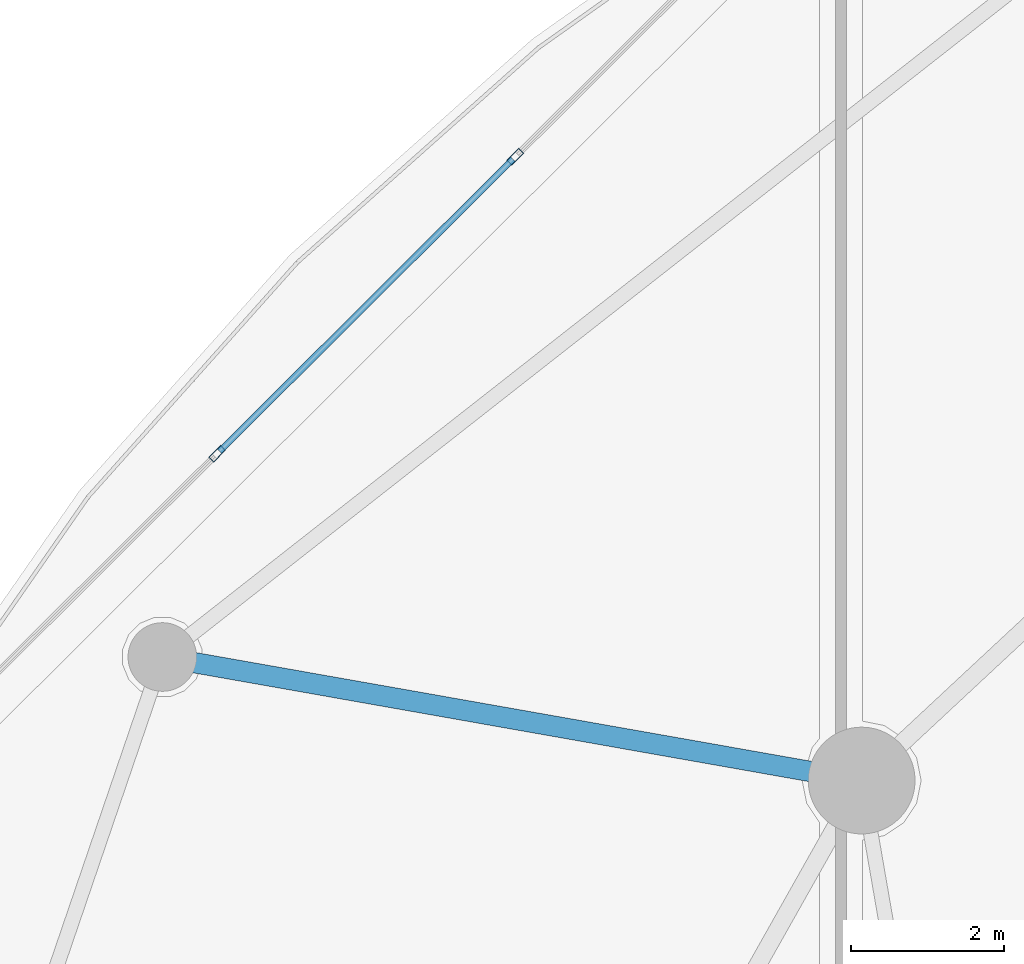
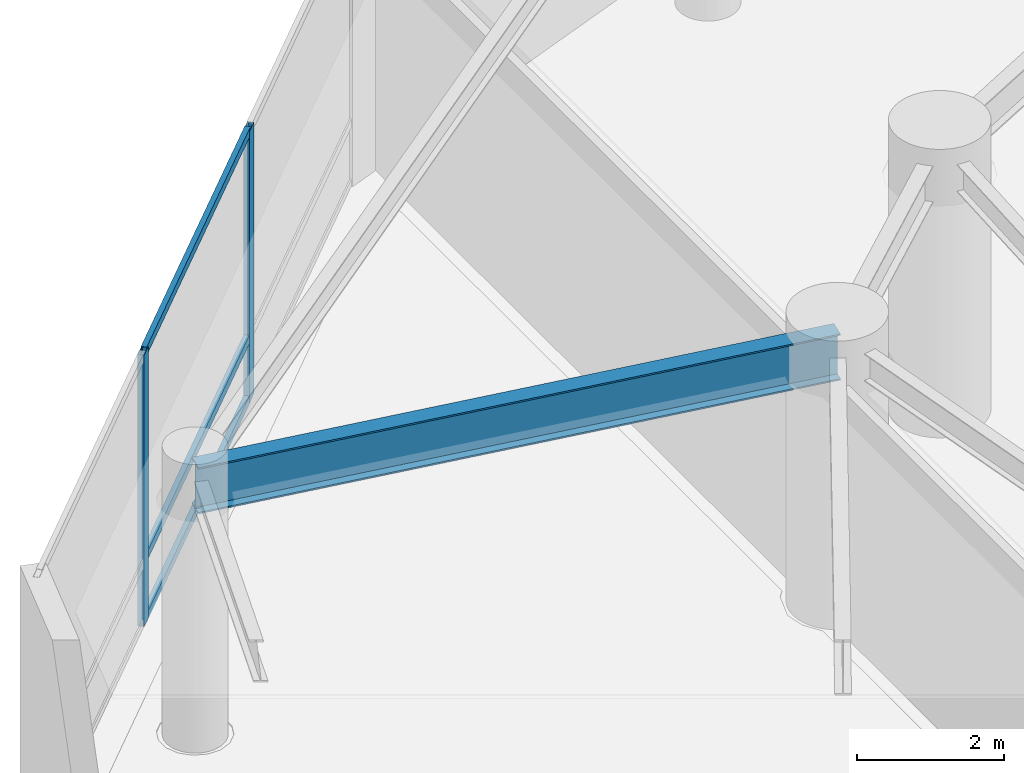
# One storey, part 8 of 40: 5 members, 1 beam, 1 element without a shape of its own.
"""IFC4 building model written with IfcOpenShell, lengths in metres."""

from ifc_helpers import new_model, si_unit, direction, frame, origin, origin_2d, place, context, subcontext, project, spatial, hollow_rectangle, i_section, extrude, material, layer, layer_set, material_profile, profile_set, type_object, element, aggregate, save


model = new_model("IFC4")

# Units and contexts
model_context = context("Model", 3, precision=1e-05, world=origin(), true_north=direction((0.0, 1.0)))
body_context = subcontext(model_context, "Body", "Model", "MODEL_VIEW")
ifc_project = project(units=[si_unit("LENGTHUNIT", "METRE"), si_unit("AREAUNIT", "SQUARE_METRE"), si_unit("VOLUMEUNIT", "CUBIC_METRE"), si_unit("PLANEANGLEUNIT", "RADIAN"), si_unit("MASSUNIT", "GRAM", prefix="KILO")], contexts=[model_context])

# Site, building, storey
site_placement = place(None, origin())
site = spatial("IfcSite", under=ifc_project, at=site_placement, CompositionType="ELEMENT")
building_placement = place(site_placement, origin())
building = spatial("IfcBuilding", under=site, at=building_placement, Name="Kazevale Care Tower and Concert Hall", CompositionType="ELEMENT")
storey_placement = place(building_placement, frame((0.0, 0.0, 4.800048828125)))
storey = spatial("IfcBuildingStorey", under=building, at=storey_placement, Name="L01", CompositionType="ELEMENT", Elevation=4.800048828125)

# Curtain wall, members
ifc_material_1 = material(Name="Aluminium 6063-T6 and Low-E Glass", Category="aluminium")
ifc_layer = layer(ifc_material_1, 0.179931640625)
ifc_layer_set = layer_set([ifc_layer], Name="Aluminium 6063-T6 and Low-E Glass")
curtain_wall_type = type_object("IfcCurtainWallType", Name="Podium Double-Skin Medical Curtain Wall CW-1", PredefinedType="NOTDEFINED", material=ifc_layer_set)
curtain_wall_placement = place(storey_placement, origin())
curtain_wall = element("IfcCurtainWall", 1, at=curtain_wall_placement, inside=storey, type_object=curtain_wall_type, Name="cw:L01:pod:06", PredefinedType="NOTDEFINED")
ifc_material_2 = material(Name="Aluminium 6063-T6", Category="aluminium")
ifc_material_profile_1 = material_profile(ifc_material_2, hollow_rectangle(XDim=0.090087890625, YDim=0.219970703125, WallThickness=0.0048828125, at=origin_2d()), Name="ALU90x220x5")
ifc_profile_set_1 = profile_set([ifc_material_profile_1], Name="Aluminium 6063-T6")
member_type_1 = type_object("IfcMemberType", Name="CW-1 Mullion ALU90x220x5", PredefinedType="MULLION", material=ifc_profile_set_1)
member_1_placement = place(storey_placement, frame((14.728271484375, 60.359375, 0.0), z_axis=(0.0, 0.0, 1.0), x_axis=(0.705655814257, -0.708554776856, 0.0)))
member_1 = element("IfcMember", 2, at=member_1_placement, type_object=member_type_1, Name="CW-1 mullion 2", PredefinedType="MULLION", context=body_context, shape_type="SweptSolid", body=[
    extrude(hollow_rectangle(XDim=0.090087890625, YDim=0.219970703125, WallThickness=0.0048828125, at=origin_2d()), origin(), (0.0, 0.0, 1.0), 4.52001953125),
])
member_2_placement = place(storey_placement, frame((10.817626953125, 56.464599609375, 0.0), z_axis=(0.0, 0.0, 1.0), x_axis=(0.705655814257, -0.708554776856, 0.0)))
member_2 = element("IfcMember", 3, at=member_2_placement, type_object=member_type_1, Name="CW-1 mullion 3", PredefinedType="MULLION", context=body_context, shape_type="SweptSolid", body=[
    extrude(hollow_rectangle(XDim=0.090087890625, YDim=0.219970703125, WallThickness=0.0048828125, at=origin_2d()), origin(), (0.0, 0.0, 1.0), 4.52001953125),
])
ifc_material_profile_2 = material_profile(ifc_material_2, hollow_rectangle(XDim=0.080078125, YDim=0.139892578125, WallThickness=0.00390625, at=origin_2d()), Name="ALU80x140x4")
ifc_profile_set_2 = profile_set([ifc_material_profile_2], Name="Aluminium 6063-T6")
member_type_2 = type_object("IfcMemberType", Name="CW-1 Transom ALU80x140x4", PredefinedType="USERDEFINED", material=ifc_profile_set_2)
member_3_placement = place(storey_placement, frame((14.696533203125, 60.32763671875, 0.0400390625), z_axis=(-0.708544259539, -0.705666374624, 0.0), x_axis=(0.705666374624, -0.708544259539, 0.0)))
member_3 = element("IfcMember", 4, at=member_3_placement, type_object=member_type_2, Name="CW-1 transom 2.1", ObjectType="TRANSOM", PredefinedType="USERDEFINED", context=body_context, shape_type="SweptSolid", body=[
    extrude(hollow_rectangle(XDim=0.080078125, YDim=0.139892578125, WallThickness=0.00390625, at=origin_2d()), origin(), (0.0, 0.0, 1.0), 5.429443359375),
])
member_4_placement = place(storey_placement, frame((14.696533203125, 60.32763671875, 1.050048828125), z_axis=(-0.708544259539, -0.705666374624, 0.0), x_axis=(0.705666374624, -0.708544259539, 0.0)))
member_4 = element("IfcMember", 5, at=member_4_placement, type_object=member_type_2, Name="CW-1 transom 2.2", ObjectType="TRANSOM", PredefinedType="USERDEFINED", context=body_context, shape_type="SweptSolid", body=[
    extrude(hollow_rectangle(XDim=0.080078125, YDim=0.139892578125, WallThickness=0.00390625, at=origin_2d()), origin(), (0.0, 0.0, 1.0), 5.429443359375),
])
member_5_placement = place(storey_placement, frame((14.696533203125, 60.32763671875, 4.47998046875), z_axis=(-0.708544259539, -0.705666374624, 0.0), x_axis=(0.705666374624, -0.708544259539, 0.0)))
member_5 = element("IfcMember", 6, at=member_5_placement, type_object=member_type_2, Name="CW-1 transom 2.3", ObjectType="TRANSOM", PredefinedType="USERDEFINED", context=body_context, shape_type="SweptSolid", body=[
    extrude(hollow_rectangle(XDim=0.080078125, YDim=0.139892578125, WallThickness=0.00390625, at=origin_2d()), origin(), (0.0, 0.0, 1.0), 5.429443359375),
])
aggregate(curtain_wall, [member_1, member_2, member_3, member_4, member_5])

# Beam
ifc_material_3 = material(Name="Steel ASTM A572 Gr 50", Category="steel")
ifc_material_profile_3 = material_profile(ifc_material_3, i_section(OverallWidth=0.26806640625, OverallDepth=0.77001953125, WebThickness=0.015625, FlangeThickness=0.025390625, at=origin_2d()), Name="W760x196")
ifc_profile_set_3 = profile_set([ifc_material_profile_3], Name="Steel ASTM A572 Gr 50")
beam_type = type_object("IfcBeamType", Name="Podium Primary Girder W760x196", PredefinedType="BEAM", material=ifc_profile_set_3)
beam_placement = place(storey_placement, frame((19.27001953125, 52.179931640625, 4.135009765625), z_axis=(-0.984748698979, 0.17398275736, 0.0), x_axis=(-0.17398275736, -0.984748698979, 0.0)))
element("IfcBeam", 7, at=beam_placement, inside=storey, type_object=beam_type, Name="beam:L01:podrad:06", PredefinedType="BEAM", context=body_context, shape_type="SweptSolid", body=[
    extrude(i_section(OverallWidth=0.26806640625, OverallDepth=0.77001953125, WebThickness=0.015625, FlangeThickness=0.025390625, at=origin_2d()), origin(), (0.0, 0.0, 1.0), 9.31201171875),
])

save(model, "model.ifc")
